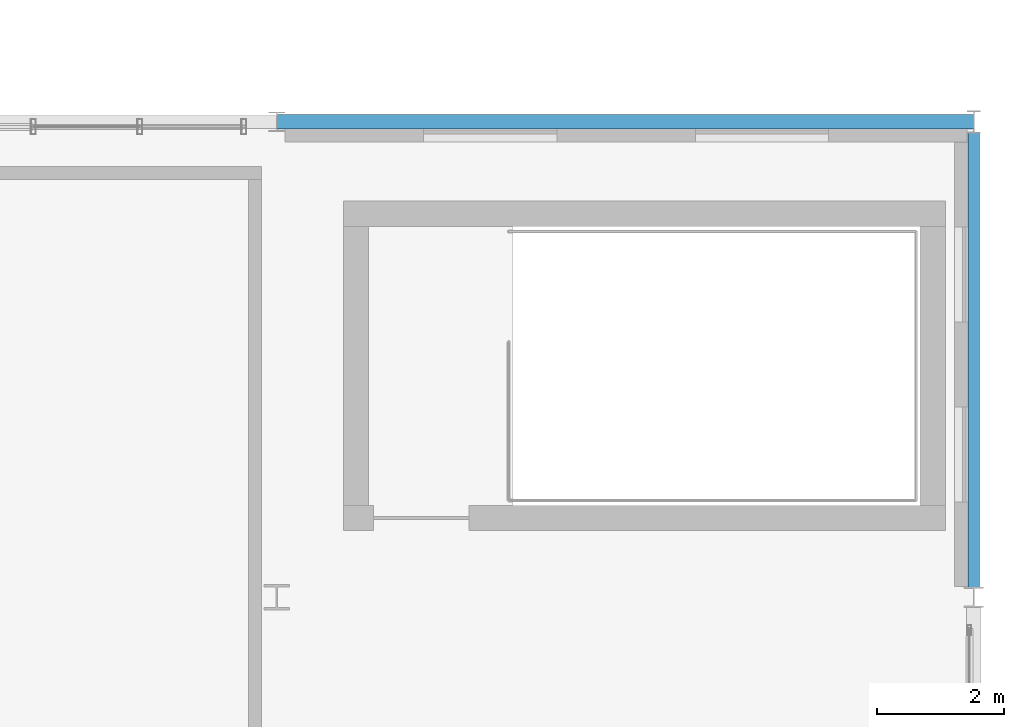
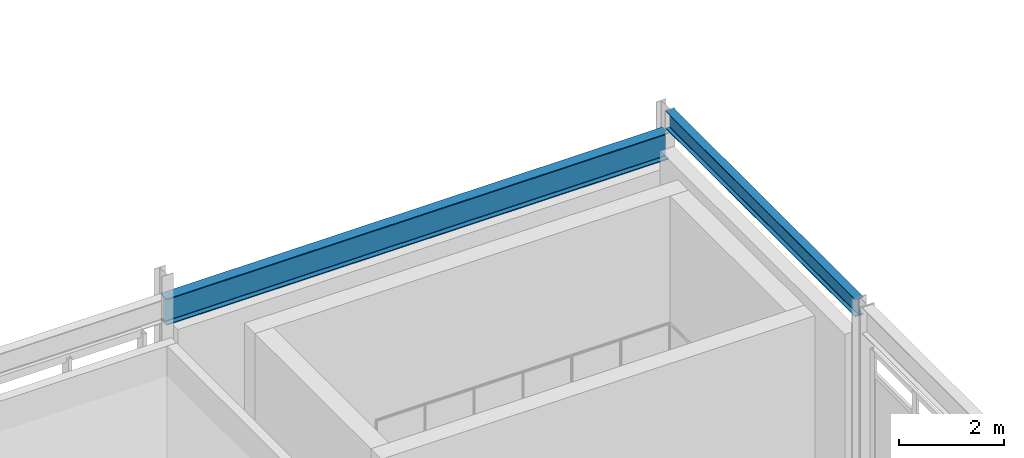
# One storey, part 31 of 56: 2 beams.
"""IFC4 building model written with IfcOpenShell, lengths in metres."""

from ifc_helpers import new_model, si_unit, direction, frame, origin, origin_2d, place, context, subcontext, project, spatial, i_section, extrude, material, material_profile, profile_set, type_object, element, save


model = new_model("IFC4")

# Units and contexts
model_context = context("Model", 3, precision=1e-05, world=origin(), true_north=direction((0.0, 1.0)))
body_context = subcontext(model_context, "Body", "Model", "MODEL_VIEW")
ifc_project = project(units=[si_unit("LENGTHUNIT", "METRE"), si_unit("AREAUNIT", "SQUARE_METRE"), si_unit("VOLUMEUNIT", "CUBIC_METRE"), si_unit("PLANEANGLEUNIT", "RADIAN"), si_unit("MASSUNIT", "GRAM", prefix="KILO"), si_unit("THERMODYNAMICTEMPERATUREUNIT", "KELVIN"), si_unit("POWERUNIT", "WATT")], contexts=[model_context])

# Site, building, storey
site_placement = place(None, origin())
site = spatial("IfcSite", under=ifc_project, at=site_placement, CompositionType="ELEMENT")
building_placement = place(site_placement, origin())
building = spatial("IfcBuilding", under=site, at=building_placement, Name="Tepalcoro Natatorium and Aquatics Centre", CompositionType="ELEMENT")
storey_placement = place(building_placement, frame((0.0, 0.0, 14.800048828125)))
storey = spatial("IfcBuildingStorey", under=building, at=storey_placement, Name="L03", CompositionType="ELEMENT", Elevation=14.800048828125)

# Beams
ifc_material = material(Name="Steel ASTM A992 Grade 50 (Fy 345 MPa)", Category="steel")
ifc_material_profile_1 = material_profile(ifc_material, i_section(OverallWidth=0.179931640625, OverallDepth=0.4130859375, WebThickness=0.010009765625, FlangeThickness=0.01611328125, FilletRadius=0.013916015625, at=origin_2d()), Name="W16X50")
ifc_profile_set_1 = profile_set([ifc_material_profile_1], Name="Steel ASTM A992 Grade 50 (Fy 345 MPa)")
beam_type_1 = type_object("IfcBeamType", Name="SP_HSS300x200x12", PredefinedType="SPANDREL", material=ifc_profile_set_1)
beam_1_placement = place(storey_placement, frame((176.0, 51.64306640625, 4.598388671875), z_axis=(0.0, 1.0, 0.0), x_axis=(-1.0, 0.0, 0.0)))
element("IfcBeam", 1, at=beam_1_placement, inside=storey, type_object=beam_type_1, Name="V2 L03 Grid Girder Y", PredefinedType="SPANDREL", context=body_context, shape_type="SweptSolid", body=[
    extrude(i_section(OverallWidth=0.179931640625, OverallDepth=0.4130859375, WebThickness=0.010009765625, FlangeThickness=0.01611328125, FilletRadius=0.013916015625, at=origin_2d()), origin(), (0.0, 0.0, 1.0), 7.201416015625),
])
ifc_material_profile_2 = material_profile(ifc_material, i_section(OverallWidth=0.22900390625, OverallDepth=0.612060546875, WebThickness=0.011962890625, FlangeThickness=0.02001953125, FilletRadius=0.013916015625, at=origin_2d()), Name="W24X84")
ifc_profile_set_2 = profile_set([ifc_material_profile_2], Name="Steel ASTM A992 Grade 50 (Fy 345 MPa)")
beam_type_2 = type_object("IfcBeamType", Name="SP_W24x84", PredefinedType="SPANDREL", material=ifc_profile_set_2)
beam_2_placement = place(storey_placement, frame((165.0, 59.0, 3.928955078125), z_axis=(1.0, 0.0, 0.0), x_axis=(0.0, 1.0, 0.0)))
element("IfcBeam", 2, at=beam_2_placement, inside=storey, type_object=beam_type_2, Name="V2 L03 Grid Girder X", PredefinedType="SPANDREL", context=body_context, shape_type="SweptSolid", body=[
    extrude(i_section(OverallWidth=0.22900390625, OverallDepth=0.612060546875, WebThickness=0.011962890625, FlangeThickness=0.02001953125, FilletRadius=0.013916015625, at=origin_2d()), origin(), (0.0, 0.0, 1.0), 11.0),
])

save(model, "model.ifc")
